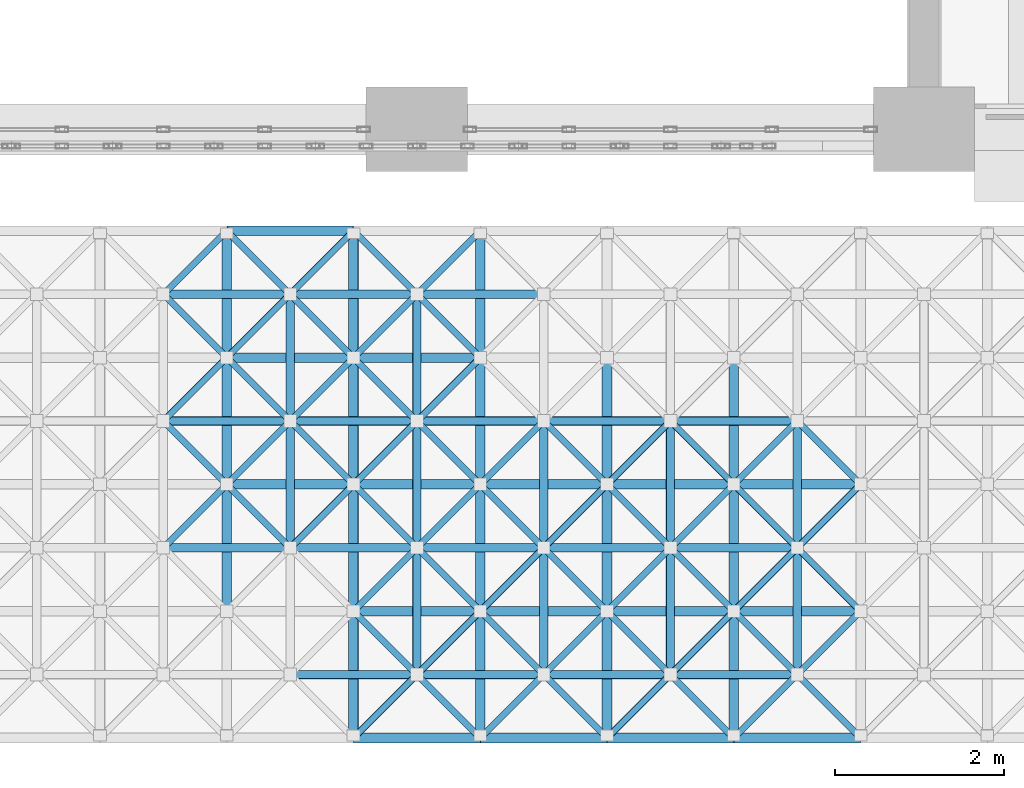
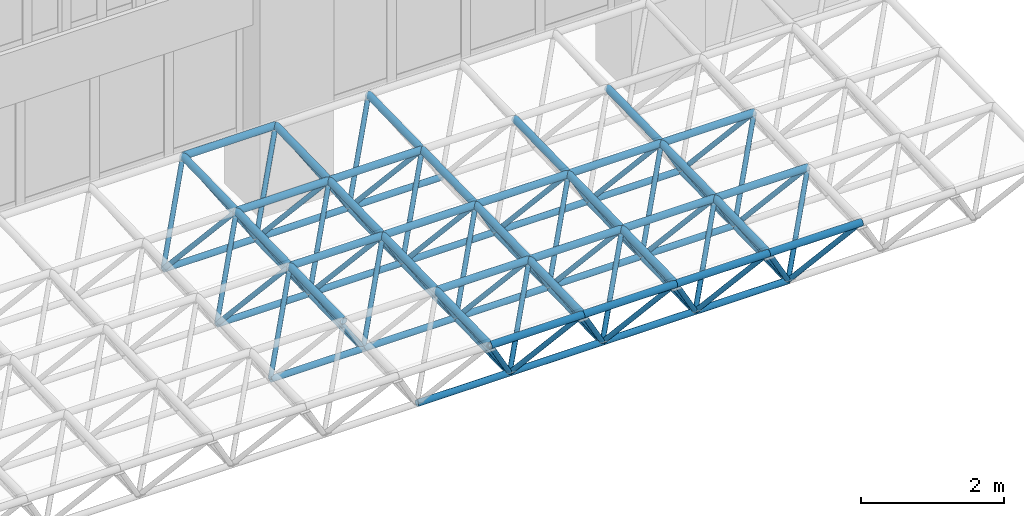
# One storey, part 17 of 103: 122 members.
"""IFC4 building model written with IfcOpenShell, lengths in metres."""

import ifcopenshell
import ifcopenshell.guid

model = None  # the IFC model being written
_history = None  # IfcOwnerHistory: only IFC2X3 demands one
_inside = {}  # id of a spatial element -> (the spatial element, [elements in it])
_under = {}  # id of a project, library or spatial element -> (it, [spatial elements below it])
_declared = {}  # id of a project -> (the project, [libraries it declares])
_typed = {}  # id of a type object -> (the type object, [elements of that type])
_made_of = {}  # id of a material, layer set ... -> (it, [elements and type objects made of it])


def new_model(schema):
    """Start an empty IFC model of exactly this schema.

    Asked for "IFC4X3", IfcOpenShell would pick the latest addendum, in which some entities
    have other attributes; the version numbers below select the first issue.
    IFC2X3 requires an IfcOwnerHistory on every rooted entity: one is made here for all.
    """
    global model, _history
    if schema == "IFC4X3":
        model = ifcopenshell.file(schema_version=(4, 3, 0, 0))
    else:
        model = ifcopenshell.file(schema=schema)
    _inside.clear()
    _under.clear()
    _declared.clear()
    _typed.clear()
    _made_of.clear()
    _history = None
    if model.schema == "IFC2X3":
        org = make("IfcOrganization", Name="unknown")
        user = make(
            "IfcPersonAndOrganization",
            ThePerson=make("IfcPerson", FamilyName="unknown"),
            TheOrganization=org,
        )
        app = make(
            "IfcApplication",
            ApplicationDeveloper=org,
            Version="unknown",
            ApplicationFullName="unknown",
            ApplicationIdentifier="unknown",
        )
        _history = make(
            "IfcOwnerHistory",
            OwningUser=user,
            OwningApplication=app,
            ChangeAction="ADDED",
            CreationDate=0,
        )
    return model


def make(cls, **values):
    """One entity of the class cls with the attributes given. An attribute that is None is left unset."""
    return model.create_entity(
        cls, **{name: value for name, value in values.items() if value is not None}
    )


def rooted(cls, **values):
    """An entity with a GlobalId (a new one), such as an element, a storey or a relation."""
    return make(cls, GlobalId=ifcopenshell.guid.new(), OwnerHistory=_history, **values)


def si_unit(unit_type, name, prefix=None):
    """IfcSIUnit, for example si_unit("LENGTHUNIT", "METRE", prefix="MILLI")."""
    return make("IfcSIUnit", UnitType=unit_type, Prefix=prefix, Name=name)


def assignment(units):
    """IfcUnitAssignment: the units of a project."""
    return None if units is None else make("IfcUnitAssignment", Units=units)


def point(xyz):
    """IfcCartesianPoint."""
    return None if xyz is None else make("IfcCartesianPoint", Coordinates=xyz)


def direction(xyz):
    """IfcDirection."""
    return None if xyz is None else make("IfcDirection", DirectionRatios=xyz)


def frame(location, z_axis=None, x_axis=None):
    """IfcAxis2Placement3D, a coordinate frame: its origin and axes. An axis left out is left unset."""
    return make(
        "IfcAxis2Placement3D",
        Location=point(location),
        Axis=direction(z_axis),
        RefDirection=direction(x_axis),
    )


def frame_2d(location, x_axis=None):
    """IfcAxis2Placement2D, a coordinate frame in the plane: its origin and x axis."""
    return make(
        "IfcAxis2Placement2D", Location=point(location), RefDirection=direction(x_axis)
    )


def origin():
    """The frame at (0, 0, 0) with its axes left unset."""
    return frame((0.0, 0.0, 0.0))


def origin_2d():
    """The frame at (0, 0) in the plane with its x axis left unset."""
    return frame_2d((0.0, 0.0))


def place(relative_to, where):
    """IfcLocalPlacement: puts the frame where relative to a parent placement (None: the world)."""
    return make(
        "IfcLocalPlacement", PlacementRelTo=relative_to, RelativePlacement=where
    )


def context(
    kind, dimensions, precision=None, world=None, true_north=None, identifier=None
):
    """IfcGeometricRepresentationContext, for example the 3D "Model" context."""
    return make(
        "IfcGeometricRepresentationContext",
        ContextIdentifier=identifier,
        ContextType=kind,
        CoordinateSpaceDimension=dimensions,
        Precision=precision,
        WorldCoordinateSystem=world,
        TrueNorth=true_north,
    )


def subcontext(parent, identifier, kind, view, scale=None):
    """IfcGeometricRepresentationSubContext, for example "Body" below "Model"."""
    return make(
        "IfcGeometricRepresentationSubContext",
        ContextIdentifier=identifier,
        ContextType=kind,
        ParentContext=parent,
        TargetScale=scale,
        TargetView=view,
    )


def project(units=None, contexts=None):
    """IfcProject with its units and contexts."""
    return rooted(
        "IfcProject",
        Name="project",
        RepresentationContexts=contexts,
        UnitsInContext=assignment(units),
    )


def spatial(cls, under=None, at=None, **own):
    """A site, building, storey or space (cls), placed at a placement, below another one or the project."""
    s = rooted(cls, ObjectPlacement=at, **own)
    if under is not None:
        _under.setdefault(under.id(), (under, []))[1].append(s)
    return s


def profile(cls, at=None, kind="AREA", **sizes):
    """A parametric profile (cls). Its sizes go by their IFC names, for example OverallWidth=200.0."""
    return make(cls, ProfileType=kind, Position=at, **sizes)


def hollow_circle(**sizes):
    """IfcCircleHollowProfileDef."""
    return profile("IfcCircleHollowProfileDef", **sizes)


def extrude(swept, where, along, depth):
    """IfcExtrudedAreaSolid: the profile swept, set in the frame where, extruded along a direction by depth."""
    return make(
        "IfcExtrudedAreaSolid",
        SweptArea=swept,
        Position=where,
        ExtrudedDirection=direction(along),
        Depth=depth,
    )


def shape(context_of_items, identifier, shape_type, items):
    """IfcShapeRepresentation: the items that make up one representation, for example the "Body"."""
    return make(
        "IfcShapeRepresentation",
        ContextOfItems=context_of_items,
        RepresentationIdentifier=identifier,
        RepresentationType=shape_type,
        Items=items,
    )


def material(Name=None, Category=None):
    """IfcMaterial."""
    return make("IfcMaterial", Name=Name, Category=Category)


def material_profile(
    of_material, cross_section, Name=None, Category=None, Priority=None
):
    """IfcMaterialProfile: a cross section and its material."""
    return make(
        "IfcMaterialProfile",
        Name=Name,
        Material=of_material,
        Profile=cross_section,
        Priority=Priority,
        Category=Category,
    )


def profile_set(profiles, Name=None, composite=None):
    """IfcMaterialProfileSet."""
    return make(
        "IfcMaterialProfileSet",
        Name=Name,
        MaterialProfiles=profiles,
        CompositeProfile=composite,
    )


def made_of(thing, what):
    """Note that an element or type object is made of a material, layer set ...; save() writes the relation."""
    if what is not None:
        _made_of.setdefault(what.id(), (what, []))[1].append(thing)
    return thing


def type_object(cls, material=None, **own):
    """A type object (cls), such as IfcWallType, which elements share."""
    return made_of(rooted(cls, **own), material)


def element(
    cls,
    number,
    at=None,
    inside=None,
    cuts=None,
    type_object=None,
    material=None,
    context=None,
    identifier="Body",
    shape_type=None,
    held_by="IfcProductDefinitionShape",
    body=None,
    shapes=None,
    **own,
):
    """One element of the class cls, such as IfcWall. Its Tag is "e" and its number.

    at: its placement. inside: the storey or other place that contains it. cuts: it is an
    opening in that element (IfcRelVoidsElement). A single representation is given by context,
    identifier, shape_type and body (its items); several are given by shapes. held_by: the class
    of the entity that holds the representations. save() writes the other relations.
    """
    e = rooted(cls, Tag="e%d" % number, ObjectPlacement=at, **own)
    if body is not None:
        shapes = [shape(context, identifier, shape_type, body)]
    if shapes is not None:
        e.Representation = make(held_by, Representations=shapes)
    if inside is not None:
        _inside.setdefault(inside.id(), (inside, []))[1].append(e)
    if cuts is not None:
        rooted(
            "IfcRelVoidsElement", RelatingBuildingElement=cuts, RelatedOpeningElement=e
        )
    if type_object is not None:
        _typed.setdefault(type_object.id(), (type_object, []))[1].append(e)
    return made_of(e, material)


def aggregate(whole, parts):
    """IfcRelAggregates: a whole, such as a stair, and the parts it consists of."""
    return rooted("IfcRelAggregates", RelatingObject=whole, RelatedObjects=parts)


def save(model, path):
    """Write the relations noted so far, then the file.

    IfcRelAggregates (storeys below a building ...), IfcRelContainedInSpatialStructure (elements
    in a storey), IfcRelDefinesByType, IfcRelAssociatesMaterial and IfcRelDeclares: one each for
    every whole, place, type object, material and project.
    """
    for whole, parts in _under.values():
        aggregate(whole, parts)
    for where, things in _inside.values():
        rooted(
            "IfcRelContainedInSpatialStructure",
            RelatedElements=things,
            RelatingStructure=where,
        )
    for kind, things in _typed.values():
        rooted("IfcRelDefinesByType", RelatedObjects=things, RelatingType=kind)
    for what, things in _made_of.values():
        rooted("IfcRelAssociatesMaterial", RelatedObjects=things, RelatingMaterial=what)
    for by, libraries in _declared.values():
        rooted("IfcRelDeclares", RelatingContext=by, RelatedDefinitions=libraries)
    model.write(path)


model = new_model("IFC4")

# Units and contexts
model_context = context("Model", 3, precision=1e-05, world=origin(), true_north=direction((0.0, 1.0)))
body_context = subcontext(model_context, "Body", "Model", "MODEL_VIEW")
ifc_project = project(units=[si_unit("LENGTHUNIT", "METRE"), si_unit("AREAUNIT", "SQUARE_METRE"), si_unit("VOLUMEUNIT", "CUBIC_METRE"), si_unit("PLANEANGLEUNIT", "RADIAN"), si_unit("MASSUNIT", "GRAM", prefix="KILO")], contexts=[model_context])

# Site, building, storey
site_placement = place(None, origin())
site = spatial("IfcSite", under=ifc_project, at=site_placement, CompositionType="ELEMENT")
building_placement = place(site_placement, origin())
building = spatial("IfcBuilding", under=site, at=building_placement, Name="Laocheng Heights Fire and Rescue Headquarters", CompositionType="ELEMENT")
storey_placement = place(building_placement, frame((0.0, 0.0, 4.199951171875)))
storey = spatial("IfcBuildingStorey", under=building, at=storey_placement, Name="L01", CompositionType="ELEMENT", Elevation=4.199951171875)

# Members
ifc_material_1 = material(Name="Steel Q355B", Category="steel")
ifc_material_profile_1 = material_profile(ifc_material_1, hollow_circle(Radius=0.05078125, WallThickness=0.00390625, at=origin_2d()), Name="CHS 101.6x4")
ifc_profile_set_1 = profile_set([ifc_material_profile_1], Name="Steel Q355B")
member_type_1 = type_object("IfcMemberType", Name="APRON CANOPY BOTTOM CHORD CHS 101.6x4", PredefinedType="CHORD", material=ifc_profile_set_1)
for number, where, z_axis, x_axis, name in (
    (1, (45.0, -1.949951171875, 0.861083984375), (1.0, 0.0, 0.0), (0.0, 1.0, 0.0), "Apron canopy bottom chord AC-B016"),
    (2, (46.5, -1.949951171875, 0.861083984375), (1.0, 0.0, 0.0), (0.0, 1.0, 0.0), "Apron canopy bottom chord AC-B017"),
    (3, (48.0, -1.949951171875, 0.861083984375), (1.0, 0.0, 0.0), (0.0, 1.0, 0.0), "Apron canopy bottom chord AC-B018"),
    (4, (45.0, -3.449951171875, 0.8310546875), (1.0, 0.0, 0.0), (0.0, 1.0, 0.0), "Apron canopy bottom chord AC-B038"),
    (5, (46.5, -3.449951171875, 0.8310546875), (1.0, 0.0, 0.0), (0.0, 1.0, 0.0), "Apron canopy bottom chord AC-B039"),
    (6, (48.0, -3.449951171875, 0.8310546875), (1.0, 0.0, 0.0), (0.0, 1.0, 0.0), "Apron canopy bottom chord AC-B040"),
    (7, (49.5, -3.449951171875, 0.8310546875), (1.0, 0.0, 0.0), (0.0, 1.0, 0.0), "Apron canopy bottom chord AC-B041"),
    (8, (51.0, -3.449951171875, 0.8310546875), (1.0, 0.0, 0.0), (0.0, 1.0, 0.0), "Apron canopy bottom chord AC-B042"),
    (9, (45.0, -4.949951171875, 0.801025390625), (1.0, 0.0, 0.0), (0.0, 1.0, 0.0), "Apron canopy bottom chord AC-B060"),
    (10, (46.5, -4.949951171875, 0.801025390625), (1.0, 0.0, 0.0), (0.0, 1.0, 0.0), "Apron canopy bottom chord AC-B061"),
    (11, (48.0, -4.949951171875, 0.801025390625), (1.0, 0.0, 0.0), (0.0, 1.0, 0.0), "Apron canopy bottom chord AC-B062"),
    (12, (49.5, -4.949951171875, 0.801025390625), (1.0, 0.0, 0.0), (0.0, 1.0, 0.0), "Apron canopy bottom chord AC-B063"),
    (13, (51.0, -4.949951171875, 0.801025390625), (1.0, 0.0, 0.0), (0.0, 1.0, 0.0), "Apron canopy bottom chord AC-B064"),
    (14, (46.5, -6.449951171875, 0.77099609375), (1.0, 0.0, 0.0), (0.0, 1.0, 0.0), "Apron canopy bottom chord AC-B083"),
    (15, (48.0, -6.449951171875, 0.77099609375), (1.0, 0.0, 0.0), (0.0, 1.0, 0.0), "Apron canopy bottom chord AC-B084"),
    (16, (49.5, -6.449951171875, 0.77099609375), (1.0, 0.0, 0.0), (0.0, 1.0, 0.0), "Apron canopy bottom chord AC-B085"),
    (17, (51.0, -6.449951171875, 0.77099609375), (1.0, 0.0, 0.0), (0.0, 1.0, 0.0), "Apron canopy bottom chord AC-B086"),
):
    element("IfcMember", number, at=place(storey_placement, frame(where, z_axis=z_axis, x_axis=x_axis)), inside=storey, type_object=member_type_1, Name=name, PredefinedType="CHORD", context=body_context, shape_type="SweptSolid", body=[
        extrude(hollow_circle(Radius=0.05078125, WallThickness=0.00390625, at=origin_2d()), origin(), (0.0, 0.0, 1.0), 1.5),
    ])
for number, where, z_axis, x_axis, name in (
    (18, (46.5, -1.949951171875, 0.861083984375), (0.0, -0.999799669399, -0.020015520725), (1.0, 0.0, 0.0), "Apron canopy bottom chord AC-B137"),
    (19, (46.5, -3.449951171875, 0.8310546875), (0.0, -0.999799669399, -0.020015520725), (1.0, 0.0, 0.0), "Apron canopy bottom chord AC-B138"),
    (20, (48.0, -1.949951171875, 0.861083984375), (0.0, -0.999799669399, -0.020015520725), (1.0, 0.0, 0.0), "Apron canopy bottom chord AC-B140"),
    (21, (48.0, -3.449951171875, 0.8310546875), (0.0, -0.999799669399, -0.020015520725), (1.0, 0.0, 0.0), "Apron canopy bottom chord AC-B141"),
    (22, (48.0, -4.949951171875, 0.801025390625), (0.0, -0.999799669399, -0.020015520725), (1.0, 0.0, 0.0), "Apron canopy bottom chord AC-B142"),
    (23, (49.5, -3.449951171875, 0.8310546875), (0.0, -0.999799669399, -0.020015520725), (1.0, 0.0, 0.0), "Apron canopy bottom chord AC-B144"),
    (24, (49.5, -4.949951171875, 0.801025390625), (0.0, -0.999799669399, -0.020015520725), (1.0, 0.0, 0.0), "Apron canopy bottom chord AC-B145"),
    (25, (51.0, -3.449951171875, 0.8310546875), (0.0, -0.999799669399, -0.020015520725), (1.0, 0.0, 0.0), "Apron canopy bottom chord AC-B147"),
    (26, (51.0, -4.949951171875, 0.801025390625), (0.0, -0.999799669399, -0.020015520725), (1.0, 0.0, 0.0), "Apron canopy bottom chord AC-B148"),
    (27, (52.5, -3.449951171875, 0.8310546875), (0.0, -0.999799669399, -0.020015520725), (1.0, 0.0, 0.0), "Apron canopy bottom chord AC-B150"),
    (28, (52.5, -4.949951171875, 0.801025390625), (0.0, -0.999799669399, -0.020015520725), (1.0, 0.0, 0.0), "Apron canopy bottom chord AC-B151"),
):
    element("IfcMember", number, at=place(storey_placement, frame(where, z_axis=z_axis, x_axis=x_axis)), inside=storey, type_object=member_type_1, Name=name, PredefinedType="CHORD", context=body_context, shape_type="SweptSolid", body=[
        extrude(hollow_circle(Radius=0.05078125, WallThickness=0.00390625, at=origin_2d()), origin(), (0.0, 0.0, 1.0), 1.500244140625),
    ])
ifc_material_2 = material(Name="Steel Q355B", Category="steel")
ifc_material_profile_2 = material_profile(ifc_material_2, hollow_circle(Radius=0.05712890625, WallThickness=0.0048828125, at=origin_2d()), Name="CHS 114.3x5")
ifc_profile_set_2 = profile_set([ifc_material_profile_2], Name="Steel Q355B")
member_type_2 = type_object("IfcMemberType", Name="APRON CANOPY TOP CHORD CHS 114.3x5", PredefinedType="CHORD", material=ifc_profile_set_2)
for number, where, z_axis, x_axis, name in (
    (29, (45.75, -1.199951171875, 2.075927734375), (1.0, 0.0, 0.0), (0.0, 1.0, 0.0), "Apron canopy top chord AC-T017"),
    (30, (45.75, -2.699951171875, 2.046142578125), (1.0, 0.0, 0.0), (0.0, 1.0, 0.0), "Apron canopy top chord AC-T040"),
    (31, (47.25, -2.699951171875, 2.046142578125), (1.0, 0.0, 0.0), (0.0, 1.0, 0.0), "Apron canopy top chord AC-T041"),
    (32, (45.75, -4.199951171875, 2.01611328125), (1.0, 0.0, 0.0), (0.0, 1.0, 0.0), "Apron canopy top chord AC-T063"),
    (33, (47.25, -4.199951171875, 2.01611328125), (1.0, 0.0, 0.0), (0.0, 1.0, 0.0), "Apron canopy top chord AC-T064"),
    (34, (48.75, -4.199951171875, 2.01611328125), (1.0, 0.0, 0.0), (0.0, 1.0, 0.0), "Apron canopy top chord AC-T065"),
    (35, (50.25, -4.199951171875, 2.01611328125), (1.0, 0.0, 0.0), (0.0, 1.0, 0.0), "Apron canopy top chord AC-T066"),
    (36, (51.75, -4.199951171875, 2.01611328125), (1.0, 0.0, 0.0), (0.0, 1.0, 0.0), "Apron canopy top chord AC-T067"),
    (37, (47.25, -5.699951171875, 1.986083984375), (1.0, 0.0, 0.0), (0.0, 1.0, 0.0), "Apron canopy top chord AC-T087"),
    (38, (48.75, -5.699951171875, 1.986083984375), (1.0, 0.0, 0.0), (0.0, 1.0, 0.0), "Apron canopy top chord AC-T088"),
    (39, (50.25, -5.699951171875, 1.986083984375), (1.0, 0.0, 0.0), (0.0, 1.0, 0.0), "Apron canopy top chord AC-T089"),
    (40, (51.75, -5.699951171875, 1.986083984375), (1.0, 0.0, 0.0), (0.0, 1.0, 0.0), "Apron canopy top chord AC-T090"),
    (41, (47.25, -7.199951171875, 1.9560546875), (1.0, 0.0, 0.0), (0.0, 1.0, 0.0), "Apron canopy top chord AC-T110"),
    (42, (48.75, -7.199951171875, 1.9560546875), (1.0, 0.0, 0.0), (0.0, 1.0, 0.0), "Apron canopy top chord AC-T111"),
    (43, (50.25, -7.199951171875, 1.9560546875), (1.0, 0.0, 0.0), (0.0, 1.0, 0.0), "Apron canopy top chord AC-T112"),
    (44, (51.75, -7.199951171875, 1.9560546875), (1.0, 0.0, 0.0), (0.0, 1.0, 0.0), "Apron canopy top chord AC-T113"),
):
    element("IfcMember", number, at=place(storey_placement, frame(where, z_axis=z_axis, x_axis=x_axis)), inside=storey, type_object=member_type_2, Name=name, PredefinedType="CHORD", context=body_context, shape_type="SweptSolid", body=[
        extrude(hollow_circle(Radius=0.05712890625, WallThickness=0.0048828125, at=origin_2d()), origin(), (0.0, 0.0, 1.0), 1.5),
    ])
for number, where, z_axis, x_axis, name in (
    (45, (45.75, -1.199951171875, 2.075927734375), (0.0, -0.999802912607, -0.019852857314), (1.0, 0.0, 0.0), "Apron canopy top chord AC-T180"),
    (46, (45.75, -2.699951171875, 2.046142578125), (0.0, -0.999799669399, -0.020015520725), (1.0, 0.0, 0.0), "Apron canopy top chord AC-T181"),
    (47, (45.75, -4.199951171875, 2.01611328125), (0.0, -0.999799669399, -0.020015520725), (1.0, 0.0, 0.0), "Apron canopy top chord AC-T182"),
    (48, (47.25, -1.199951171875, 2.075927734375), (0.0, -0.999802912607, -0.019852857314), (1.0, 0.0, 0.0), "Apron canopy top chord AC-T184"),
    (49, (47.25, -2.699951171875, 2.046142578125), (0.0, -0.999799669399, -0.020015520725), (1.0, 0.0, 0.0), "Apron canopy top chord AC-T185"),
    (50, (47.25, -4.199951171875, 2.01611328125), (0.0, -0.999799669399, -0.020015520725), (1.0, 0.0, 0.0), "Apron canopy top chord AC-T186"),
    (51, (47.25, -5.699951171875, 1.986083984375), (0.0, -0.999799669399, -0.020015520725), (1.0, 0.0, 0.0), "Apron canopy top chord AC-T187"),
    (52, (48.75, -1.199951171875, 2.075927734375), (0.0, -0.999802912607, -0.019852857314), (1.0, 0.0, 0.0), "Apron canopy top chord AC-T188"),
    (53, (48.75, -2.699951171875, 2.046142578125), (0.0, -0.999799669399, -0.020015520725), (1.0, 0.0, 0.0), "Apron canopy top chord AC-T189"),
    (54, (48.75, -4.199951171875, 2.01611328125), (0.0, -0.999799669399, -0.020015520725), (1.0, 0.0, 0.0), "Apron canopy top chord AC-T190"),
    (55, (48.75, -5.699951171875, 1.986083984375), (0.0, -0.999799669399, -0.020015520725), (1.0, 0.0, 0.0), "Apron canopy top chord AC-T191"),
    (56, (50.25, -2.699951171875, 2.046142578125), (0.0, -0.999799669399, -0.020015520725), (1.0, 0.0, 0.0), "Apron canopy top chord AC-T193"),
    (57, (50.25, -4.199951171875, 2.01611328125), (0.0, -0.999799669399, -0.020015520725), (1.0, 0.0, 0.0), "Apron canopy top chord AC-T194"),
    (58, (50.25, -5.699951171875, 1.986083984375), (0.0, -0.999799669399, -0.020015520725), (1.0, 0.0, 0.0), "Apron canopy top chord AC-T195"),
    (59, (51.75, -2.699951171875, 2.046142578125), (0.0, -0.999799669399, -0.020015520725), (1.0, 0.0, 0.0), "Apron canopy top chord AC-T197"),
    (60, (51.75, -4.199951171875, 2.01611328125), (0.0, -0.999799669399, -0.020015520725), (1.0, 0.0, 0.0), "Apron canopy top chord AC-T198"),
    (61, (51.75, -5.699951171875, 1.986083984375), (0.0, -0.999799669399, -0.020015520725), (1.0, 0.0, 0.0), "Apron canopy top chord AC-T199"),
):
    element("IfcMember", number, at=place(storey_placement, frame(where, z_axis=z_axis, x_axis=x_axis)), inside=storey, type_object=member_type_2, Name=name, PredefinedType="CHORD", context=body_context, shape_type="SweptSolid", body=[
        extrude(hollow_circle(Radius=0.05712890625, WallThickness=0.0048828125, at=origin_2d()), origin(), (0.0, 0.0, 1.0), 1.500244140625),
    ])
ifc_material_3 = material(Name="Steel Q355B", Category="steel")
ifc_material_profile_3 = material_profile(ifc_material_3, hollow_circle(Radius=0.0380859375, WallThickness=0.00390625, at=origin_2d()), Name="CHS 76.1x4")
ifc_profile_set_3 = profile_set([ifc_material_profile_3], Name="Steel Q355B")
member_type_3 = type_object("IfcMemberType", Name="APRON CANOPY WEB CHS 76.1x4", PredefinedType="BRACE", material=ifc_profile_set_3)
member_1_placement = place(storey_placement, frame((45.0, -1.949951171875, 0.861083984375), z_axis=(0.46505465934, 0.46505465934, 0.753291661743), x_axis=(-0.707106781187, 0.707106781187, 0.0)))
element("IfcMember", 62, at=member_1_placement, inside=storey, type_object=member_type_3, Name="Apron canopy web AC-W062", PredefinedType="BRACE", context=body_context, shape_type="SweptSolid", body=[
    extrude(hollow_circle(Radius=0.0380859375, WallThickness=0.00390625, at=origin_2d()), origin(), (0.0, 0.0, 1.0), 1.61279296875),
])
member_2_placement = place(storey_placement, frame((45.0, -1.949951171875, 0.861083984375), z_axis=(0.471580249604, -0.471580249604, 0.745133636582), x_axis=(0.707106781187, 0.707106781187, 0.0)))
element("IfcMember", 63, at=member_2_placement, inside=storey, type_object=member_type_3, Name="Apron canopy web AC-W064", PredefinedType="BRACE", context=body_context, shape_type="SweptSolid", body=[
    extrude(hollow_circle(Radius=0.0380859375, WallThickness=0.00390625, at=origin_2d()), origin(), (0.0, 0.0, 1.0), 1.59033203125),
])
for number, where, z_axis, x_axis, name in (
    (64, (46.5, -1.949951171875, 0.861083984375), (-0.46505465934, 0.46505465934, 0.753291661743), (-0.707106781187, -0.707106781187, 0.0), "Apron canopy web AC-W065"),
    (65, (46.5, -1.949951171875, 0.861083984375), (0.46505465934, 0.46505465934, 0.753291661743), (-0.707106781187, 0.707106781187, 0.0), "Apron canopy web AC-W066"),
):
    element("IfcMember", number, at=place(storey_placement, frame(where, z_axis=z_axis, x_axis=x_axis)), inside=storey, type_object=member_type_3, Name=name, PredefinedType="BRACE", context=body_context, shape_type="SweptSolid", body=[
        extrude(hollow_circle(Radius=0.0380859375, WallThickness=0.00390625, at=origin_2d()), origin(), (0.0, 0.0, 1.0), 1.61279296875),
    ])
for number, where, z_axis, x_axis, name in (
    (66, (46.5, -1.949951171875, 0.861083984375), (-0.471580249604, -0.471580249604, 0.745133636582), (0.707106781187, -0.707106781187, 0.0), "Apron canopy web AC-W067"),
    (67, (46.5, -1.949951171875, 0.861083984375), (0.471580249604, -0.471580249604, 0.745133636582), (0.707106781187, 0.707106781187, 0.0), "Apron canopy web AC-W068"),
):
    element("IfcMember", number, at=place(storey_placement, frame(where, z_axis=z_axis, x_axis=x_axis)), inside=storey, type_object=member_type_3, Name=name, PredefinedType="BRACE", context=body_context, shape_type="SweptSolid", body=[
        extrude(hollow_circle(Radius=0.0380859375, WallThickness=0.00390625, at=origin_2d()), origin(), (0.0, 0.0, 1.0), 1.59033203125),
    ])
for number, where, z_axis, x_axis, name in (
    (68, (48.0, -1.949951171875, 0.861083984375), (-0.46505465934, 0.46505465934, 0.753291661743), (-0.707106781187, -0.707106781187, 0.0), "Apron canopy web AC-W069"),
    (69, (48.0, -1.949951171875, 0.861083984375), (0.46505465934, 0.46505465934, 0.753291661743), (-0.707106781187, 0.707106781187, 0.0), "Apron canopy web AC-W070"),
):
    element("IfcMember", number, at=place(storey_placement, frame(where, z_axis=z_axis, x_axis=x_axis)), inside=storey, type_object=member_type_3, Name=name, PredefinedType="BRACE", context=body_context, shape_type="SweptSolid", body=[
        extrude(hollow_circle(Radius=0.0380859375, WallThickness=0.00390625, at=origin_2d()), origin(), (0.0, 0.0, 1.0), 1.61279296875),
    ])
for number, where, z_axis, x_axis, name in (
    (70, (48.0, -1.949951171875, 0.861083984375), (-0.471580249604, -0.471580249604, 0.745133636582), (0.707106781187, -0.707106781187, 0.0), "Apron canopy web AC-W071"),
    (71, (48.0, -1.949951171875, 0.861083984375), (0.471580249604, -0.471580249604, 0.745133636582), (0.707106781187, 0.707106781187, 0.0), "Apron canopy web AC-W072"),
):
    element("IfcMember", number, at=place(storey_placement, frame(where, z_axis=z_axis, x_axis=x_axis)), inside=storey, type_object=member_type_3, Name=name, PredefinedType="BRACE", context=body_context, shape_type="SweptSolid", body=[
        extrude(hollow_circle(Radius=0.0380859375, WallThickness=0.00390625, at=origin_2d()), origin(), (0.0, 0.0, 1.0), 1.59033203125),
    ])
member_3_placement = place(storey_placement, frame((45.0, -3.449951171875, 0.8310546875), z_axis=(0.465001629625, 0.465001629625, 0.75335713237), x_axis=(-0.707106781187, 0.707106781187, 0.0)))
element("IfcMember", 72, at=member_3_placement, inside=storey, type_object=member_type_3, Name="Apron canopy web AC-W154", PredefinedType="BRACE", context=body_context, shape_type="SweptSolid", body=[
    extrude(hollow_circle(Radius=0.0380859375, WallThickness=0.00390625, at=origin_2d()), origin(), (0.0, 0.0, 1.0), 1.61279296875),
])
member_4_placement = place(storey_placement, frame((45.0, -3.449951171875, 0.8310546875), z_axis=(0.471580249604, -0.471580249604, 0.745133636582), x_axis=(0.707106781187, 0.707106781187, 0.0)))
element("IfcMember", 73, at=member_4_placement, inside=storey, type_object=member_type_3, Name="Apron canopy web AC-W156", PredefinedType="BRACE", context=body_context, shape_type="SweptSolid", body=[
    extrude(hollow_circle(Radius=0.0380859375, WallThickness=0.00390625, at=origin_2d()), origin(), (0.0, 0.0, 1.0), 1.59033203125),
])
for number, where, z_axis, x_axis, name in (
    (74, (46.5, -3.449951171875, 0.8310546875), (-0.465001629625, 0.465001629625, 0.75335713237), (-0.707106781187, -0.707106781187, 0.0), "Apron canopy web AC-W157"),
    (75, (46.5, -3.449951171875, 0.8310546875), (0.465001629625, 0.465001629625, 0.75335713237), (-0.707106781187, 0.707106781187, 0.0), "Apron canopy web AC-W158"),
):
    element("IfcMember", number, at=place(storey_placement, frame(where, z_axis=z_axis, x_axis=x_axis)), inside=storey, type_object=member_type_3, Name=name, PredefinedType="BRACE", context=body_context, shape_type="SweptSolid", body=[
        extrude(hollow_circle(Radius=0.0380859375, WallThickness=0.00390625, at=origin_2d()), origin(), (0.0, 0.0, 1.0), 1.61279296875),
    ])
for number, where, z_axis, x_axis, name in (
    (76, (46.5, -3.449951171875, 0.8310546875), (-0.471580249604, -0.471580249604, 0.745133636582), (0.707106781187, -0.707106781187, 0.0), "Apron canopy web AC-W159"),
    (77, (46.5, -3.449951171875, 0.8310546875), (0.471580249604, -0.471580249604, 0.745133636582), (0.707106781187, 0.707106781187, 0.0), "Apron canopy web AC-W160"),
):
    element("IfcMember", number, at=place(storey_placement, frame(where, z_axis=z_axis, x_axis=x_axis)), inside=storey, type_object=member_type_3, Name=name, PredefinedType="BRACE", context=body_context, shape_type="SweptSolid", body=[
        extrude(hollow_circle(Radius=0.0380859375, WallThickness=0.00390625, at=origin_2d()), origin(), (0.0, 0.0, 1.0), 1.59033203125),
    ])
for number, where, z_axis, x_axis, name in (
    (78, (48.0, -3.449951171875, 0.8310546875), (-0.465001629625, 0.465001629625, 0.75335713237), (-0.707106781187, -0.707106781187, 0.0), "Apron canopy web AC-W161"),
    (79, (48.0, -3.449951171875, 0.8310546875), (0.465001629625, 0.465001629625, 0.75335713237), (-0.707106781187, 0.707106781187, 0.0), "Apron canopy web AC-W162"),
):
    element("IfcMember", number, at=place(storey_placement, frame(where, z_axis=z_axis, x_axis=x_axis)), inside=storey, type_object=member_type_3, Name=name, PredefinedType="BRACE", context=body_context, shape_type="SweptSolid", body=[
        extrude(hollow_circle(Radius=0.0380859375, WallThickness=0.00390625, at=origin_2d()), origin(), (0.0, 0.0, 1.0), 1.61279296875),
    ])
for number, where, z_axis, x_axis, name in (
    (80, (48.0, -3.449951171875, 0.8310546875), (-0.471580249604, -0.471580249604, 0.745133636582), (0.707106781187, -0.707106781187, 0.0), "Apron canopy web AC-W163"),
    (81, (48.0, -3.449951171875, 0.8310546875), (0.471580249604, -0.471580249604, 0.745133636582), (0.707106781187, 0.707106781187, 0.0), "Apron canopy web AC-W164"),
    (82, (49.5, -3.449951171875, 0.8310546875), (-0.471580249604, -0.471580249604, 0.745133636582), (0.707106781187, -0.707106781187, 0.0), "Apron canopy web AC-W167"),
    (83, (49.5, -3.449951171875, 0.8310546875), (0.471580249604, -0.471580249604, 0.745133636582), (0.707106781187, 0.707106781187, 0.0), "Apron canopy web AC-W168"),
    (84, (51.0, -3.449951171875, 0.8310546875), (-0.471580249604, -0.471580249604, 0.745133636582), (0.707106781187, -0.707106781187, 0.0), "Apron canopy web AC-W171"),
    (85, (51.0, -3.449951171875, 0.8310546875), (0.471580249604, -0.471580249604, 0.745133636582), (0.707106781187, 0.707106781187, 0.0), "Apron canopy web AC-W172"),
    (86, (52.5, -3.449951171875, 0.8310546875), (-0.471580249604, -0.471580249604, 0.745133636582), (0.707106781187, -0.707106781187, 0.0), "Apron canopy web AC-W175"),
    (87, (52.5, -3.449951171875, 0.8310546875), (0.471580249604, -0.471580249604, 0.745133636582), (0.707106781187, 0.707106781187, 0.0), "Apron canopy web AC-W176"),
):
    element("IfcMember", number, at=place(storey_placement, frame(where, z_axis=z_axis, x_axis=x_axis)), inside=storey, type_object=member_type_3, Name=name, PredefinedType="BRACE", context=body_context, shape_type="SweptSolid", body=[
        extrude(hollow_circle(Radius=0.0380859375, WallThickness=0.00390625, at=origin_2d()), origin(), (0.0, 0.0, 1.0), 1.59033203125),
    ])
for number, where, z_axis, x_axis, name in (
    (88, (45.0, -4.949951171875, 0.801025390625), (0.465001629625, 0.465001629625, 0.75335713237), (-0.707106781187, 0.707106781187, 0.0), "Apron canopy web AC-W246"),
    (89, (46.5, -4.949951171875, 0.801025390625), (-0.465001629625, 0.465001629625, 0.75335713237), (-0.707106781187, -0.707106781187, 0.0), "Apron canopy web AC-W249"),
    (90, (46.5, -4.949951171875, 0.801025390625), (0.465001629625, 0.465001629625, 0.75335713237), (-0.707106781187, 0.707106781187, 0.0), "Apron canopy web AC-W250"),
    (91, (48.0, -4.949951171875, 0.801025390625), (-0.465001629625, 0.465001629625, 0.75335713237), (-0.707106781187, -0.707106781187, 0.0), "Apron canopy web AC-W253"),
    (92, (48.0, -4.949951171875, 0.801025390625), (0.465001629625, 0.465001629625, 0.75335713237), (-0.707106781187, 0.707106781187, 0.0), "Apron canopy web AC-W254"),
):
    element("IfcMember", number, at=place(storey_placement, frame(where, z_axis=z_axis, x_axis=x_axis)), inside=storey, type_object=member_type_3, Name=name, PredefinedType="BRACE", context=body_context, shape_type="SweptSolid", body=[
        extrude(hollow_circle(Radius=0.0380859375, WallThickness=0.00390625, at=origin_2d()), origin(), (0.0, 0.0, 1.0), 1.61279296875),
    ])
for number, where, z_axis, x_axis, name in (
    (93, (48.0, -4.949951171875, 0.801025390625), (-0.471580249604, -0.471580249604, 0.745133636582), (0.707106781187, -0.707106781187, 0.0), "Apron canopy web AC-W255"),
    (94, (48.0, -4.949951171875, 0.801025390625), (0.471580249604, -0.471580249604, 0.745133636582), (0.707106781187, 0.707106781187, 0.0), "Apron canopy web AC-W256"),
):
    element("IfcMember", number, at=place(storey_placement, frame(where, z_axis=z_axis, x_axis=x_axis)), inside=storey, type_object=member_type_3, Name=name, PredefinedType="BRACE", context=body_context, shape_type="SweptSolid", body=[
        extrude(hollow_circle(Radius=0.0380859375, WallThickness=0.00390625, at=origin_2d()), origin(), (0.0, 0.0, 1.0), 1.59033203125),
    ])
for number, where, z_axis, x_axis, name in (
    (95, (49.5, -4.949951171875, 0.801025390625), (-0.465001629625, 0.465001629625, 0.75335713237), (-0.707106781187, -0.707106781187, 0.0), "Apron canopy web AC-W257"),
    (96, (49.5, -4.949951171875, 0.801025390625), (0.465001629625, 0.465001629625, 0.75335713237), (-0.707106781187, 0.707106781187, 0.0), "Apron canopy web AC-W258"),
):
    element("IfcMember", number, at=place(storey_placement, frame(where, z_axis=z_axis, x_axis=x_axis)), inside=storey, type_object=member_type_3, Name=name, PredefinedType="BRACE", context=body_context, shape_type="SweptSolid", body=[
        extrude(hollow_circle(Radius=0.0380859375, WallThickness=0.00390625, at=origin_2d()), origin(), (0.0, 0.0, 1.0), 1.61279296875),
    ])
for number, where, z_axis, x_axis, name in (
    (97, (49.5, -4.949951171875, 0.801025390625), (-0.471580249604, -0.471580249604, 0.745133636582), (0.707106781187, -0.707106781187, 0.0), "Apron canopy web AC-W259"),
    (98, (49.5, -4.949951171875, 0.801025390625), (0.471580249604, -0.471580249604, 0.745133636582), (0.707106781187, 0.707106781187, 0.0), "Apron canopy web AC-W260"),
):
    element("IfcMember", number, at=place(storey_placement, frame(where, z_axis=z_axis, x_axis=x_axis)), inside=storey, type_object=member_type_3, Name=name, PredefinedType="BRACE", context=body_context, shape_type="SweptSolid", body=[
        extrude(hollow_circle(Radius=0.0380859375, WallThickness=0.00390625, at=origin_2d()), origin(), (0.0, 0.0, 1.0), 1.59033203125),
    ])
for number, where, z_axis, x_axis, name in (
    (99, (51.0, -4.949951171875, 0.801025390625), (-0.465001629625, 0.465001629625, 0.75335713237), (-0.707106781187, -0.707106781187, 0.0), "Apron canopy web AC-W261"),
    (100, (51.0, -4.949951171875, 0.801025390625), (0.465001629625, 0.465001629625, 0.75335713237), (-0.707106781187, 0.707106781187, 0.0), "Apron canopy web AC-W262"),
):
    element("IfcMember", number, at=place(storey_placement, frame(where, z_axis=z_axis, x_axis=x_axis)), inside=storey, type_object=member_type_3, Name=name, PredefinedType="BRACE", context=body_context, shape_type="SweptSolid", body=[
        extrude(hollow_circle(Radius=0.0380859375, WallThickness=0.00390625, at=origin_2d()), origin(), (0.0, 0.0, 1.0), 1.61279296875),
    ])
for number, where, z_axis, x_axis, name in (
    (101, (51.0, -4.949951171875, 0.801025390625), (-0.471580249604, -0.471580249604, 0.745133636582), (0.707106781187, -0.707106781187, 0.0), "Apron canopy web AC-W263"),
    (102, (51.0, -4.949951171875, 0.801025390625), (0.471580249604, -0.471580249604, 0.745133636582), (0.707106781187, 0.707106781187, 0.0), "Apron canopy web AC-W264"),
):
    element("IfcMember", number, at=place(storey_placement, frame(where, z_axis=z_axis, x_axis=x_axis)), inside=storey, type_object=member_type_3, Name=name, PredefinedType="BRACE", context=body_context, shape_type="SweptSolid", body=[
        extrude(hollow_circle(Radius=0.0380859375, WallThickness=0.00390625, at=origin_2d()), origin(), (0.0, 0.0, 1.0), 1.59033203125),
    ])
for number, where, z_axis, x_axis, name in (
    (103, (52.5, -4.949951171875, 0.801025390625), (-0.465001629625, 0.465001629625, 0.75335713237), (-0.707106781187, -0.707106781187, 0.0), "Apron canopy web AC-W265"),
    (104, (52.5, -4.949951171875, 0.801025390625), (0.465001629625, 0.465001629625, 0.75335713237), (-0.707106781187, 0.707106781187, 0.0), "Apron canopy web AC-W266"),
):
    element("IfcMember", number, at=place(storey_placement, frame(where, z_axis=z_axis, x_axis=x_axis)), inside=storey, type_object=member_type_3, Name=name, PredefinedType="BRACE", context=body_context, shape_type="SweptSolid", body=[
        extrude(hollow_circle(Radius=0.0380859375, WallThickness=0.00390625, at=origin_2d()), origin(), (0.0, 0.0, 1.0), 1.61279296875),
    ])
for number, where, z_axis, x_axis, name in (
    (105, (52.5, -4.949951171875, 0.801025390625), (-0.471580249604, -0.471580249604, 0.745133636582), (0.707106781187, -0.707106781187, 0.0), "Apron canopy web AC-W267"),
    (106, (52.5, -4.949951171875, 0.801025390625), (0.471580249604, -0.471580249604, 0.745133636582), (0.707106781187, 0.707106781187, 0.0), "Apron canopy web AC-W268"),
):
    element("IfcMember", number, at=place(storey_placement, frame(where, z_axis=z_axis, x_axis=x_axis)), inside=storey, type_object=member_type_3, Name=name, PredefinedType="BRACE", context=body_context, shape_type="SweptSolid", body=[
        extrude(hollow_circle(Radius=0.0380859375, WallThickness=0.00390625, at=origin_2d()), origin(), (0.0, 0.0, 1.0), 1.59033203125),
    ])
for number, where, z_axis, x_axis, name in (
    (107, (48.0, -6.449951171875, 0.77099609375), (-0.465001629625, 0.465001629625, 0.75335713237), (-0.707106781187, -0.707106781187, 0.0), "Apron canopy web AC-W345"),
    (108, (48.0, -6.449951171875, 0.77099609375), (0.465001629625, 0.465001629625, 0.75335713237), (-0.707106781187, 0.707106781187, 0.0), "Apron canopy web AC-W346"),
):
    element("IfcMember", number, at=place(storey_placement, frame(where, z_axis=z_axis, x_axis=x_axis)), inside=storey, type_object=member_type_3, Name=name, PredefinedType="BRACE", context=body_context, shape_type="SweptSolid", body=[
        extrude(hollow_circle(Radius=0.0380859375, WallThickness=0.00390625, at=origin_2d()), origin(), (0.0, 0.0, 1.0), 1.61279296875),
    ])
for number, where, z_axis, x_axis, name in (
    (109, (48.0, -6.449951171875, 0.77099609375), (-0.471580249604, -0.471580249604, 0.745133636582), (0.707106781187, -0.707106781187, 0.0), "Apron canopy web AC-W347"),
    (110, (48.0, -6.449951171875, 0.77099609375), (0.471580249604, -0.471580249604, 0.745133636582), (0.707106781187, 0.707106781187, 0.0), "Apron canopy web AC-W348"),
):
    element("IfcMember", number, at=place(storey_placement, frame(where, z_axis=z_axis, x_axis=x_axis)), inside=storey, type_object=member_type_3, Name=name, PredefinedType="BRACE", context=body_context, shape_type="SweptSolid", body=[
        extrude(hollow_circle(Radius=0.0380859375, WallThickness=0.00390625, at=origin_2d()), origin(), (0.0, 0.0, 1.0), 1.59033203125),
    ])
for number, where, z_axis, x_axis, name in (
    (111, (49.5, -6.449951171875, 0.77099609375), (-0.465001629625, 0.465001629625, 0.75335713237), (-0.707106781187, -0.707106781187, 0.0), "Apron canopy web AC-W349"),
    (112, (49.5, -6.449951171875, 0.77099609375), (0.465001629625, 0.465001629625, 0.75335713237), (-0.707106781187, 0.707106781187, 0.0), "Apron canopy web AC-W350"),
):
    element("IfcMember", number, at=place(storey_placement, frame(where, z_axis=z_axis, x_axis=x_axis)), inside=storey, type_object=member_type_3, Name=name, PredefinedType="BRACE", context=body_context, shape_type="SweptSolid", body=[
        extrude(hollow_circle(Radius=0.0380859375, WallThickness=0.00390625, at=origin_2d()), origin(), (0.0, 0.0, 1.0), 1.61279296875),
    ])
for number, where, z_axis, x_axis, name in (
    (113, (49.5, -6.449951171875, 0.77099609375), (-0.471580249604, -0.471580249604, 0.745133636582), (0.707106781187, -0.707106781187, 0.0), "Apron canopy web AC-W351"),
    (114, (49.5, -6.449951171875, 0.77099609375), (0.471580249604, -0.471580249604, 0.745133636582), (0.707106781187, 0.707106781187, 0.0), "Apron canopy web AC-W352"),
):
    element("IfcMember", number, at=place(storey_placement, frame(where, z_axis=z_axis, x_axis=x_axis)), inside=storey, type_object=member_type_3, Name=name, PredefinedType="BRACE", context=body_context, shape_type="SweptSolid", body=[
        extrude(hollow_circle(Radius=0.0380859375, WallThickness=0.00390625, at=origin_2d()), origin(), (0.0, 0.0, 1.0), 1.59033203125),
    ])
for number, where, z_axis, x_axis, name in (
    (115, (51.0, -6.449951171875, 0.77099609375), (-0.465001629625, 0.465001629625, 0.75335713237), (-0.707106781187, -0.707106781187, 0.0), "Apron canopy web AC-W353"),
    (116, (51.0, -6.449951171875, 0.77099609375), (0.465001629625, 0.465001629625, 0.75335713237), (-0.707106781187, 0.707106781187, 0.0), "Apron canopy web AC-W354"),
):
    element("IfcMember", number, at=place(storey_placement, frame(where, z_axis=z_axis, x_axis=x_axis)), inside=storey, type_object=member_type_3, Name=name, PredefinedType="BRACE", context=body_context, shape_type="SweptSolid", body=[
        extrude(hollow_circle(Radius=0.0380859375, WallThickness=0.00390625, at=origin_2d()), origin(), (0.0, 0.0, 1.0), 1.61279296875),
    ])
for number, where, z_axis, x_axis, name in (
    (117, (51.0, -6.449951171875, 0.77099609375), (-0.471580249604, -0.471580249604, 0.745133636582), (0.707106781187, -0.707106781187, 0.0), "Apron canopy web AC-W355"),
    (118, (51.0, -6.449951171875, 0.77099609375), (0.471580249604, -0.471580249604, 0.745133636582), (0.707106781187, 0.707106781187, 0.0), "Apron canopy web AC-W356"),
):
    element("IfcMember", number, at=place(storey_placement, frame(where, z_axis=z_axis, x_axis=x_axis)), inside=storey, type_object=member_type_3, Name=name, PredefinedType="BRACE", context=body_context, shape_type="SweptSolid", body=[
        extrude(hollow_circle(Radius=0.0380859375, WallThickness=0.00390625, at=origin_2d()), origin(), (0.0, 0.0, 1.0), 1.59033203125),
    ])
for number, where, z_axis, x_axis, name in (
    (119, (52.5, -6.449951171875, 0.77099609375), (-0.465001629625, 0.465001629625, 0.75335713237), (-0.707106781187, -0.707106781187, 0.0), "Apron canopy web AC-W357"),
    (120, (52.5, -6.449951171875, 0.77099609375), (0.465001629625, 0.465001629625, 0.75335713237), (-0.707106781187, 0.707106781187, 0.0), "Apron canopy web AC-W358"),
):
    element("IfcMember", number, at=place(storey_placement, frame(where, z_axis=z_axis, x_axis=x_axis)), inside=storey, type_object=member_type_3, Name=name, PredefinedType="BRACE", context=body_context, shape_type="SweptSolid", body=[
        extrude(hollow_circle(Radius=0.0380859375, WallThickness=0.00390625, at=origin_2d()), origin(), (0.0, 0.0, 1.0), 1.61279296875),
    ])
for number, where, z_axis, x_axis, name in (
    (121, (52.5, -6.449951171875, 0.77099609375), (-0.471580249604, -0.471580249604, 0.745133636582), (0.707106781187, -0.707106781187, 0.0), "Apron canopy web AC-W359"),
    (122, (52.5, -6.449951171875, 0.77099609375), (0.471580249604, -0.471580249604, 0.745133636582), (0.707106781187, 0.707106781187, 0.0), "Apron canopy web AC-W360"),
):
    element("IfcMember", number, at=place(storey_placement, frame(where, z_axis=z_axis, x_axis=x_axis)), inside=storey, type_object=member_type_3, Name=name, PredefinedType="BRACE", context=body_context, shape_type="SweptSolid", body=[
        extrude(hollow_circle(Radius=0.0380859375, WallThickness=0.00390625, at=origin_2d()), origin(), (0.0, 0.0, 1.0), 1.59033203125),
    ])

save(model, "model.ifc")
